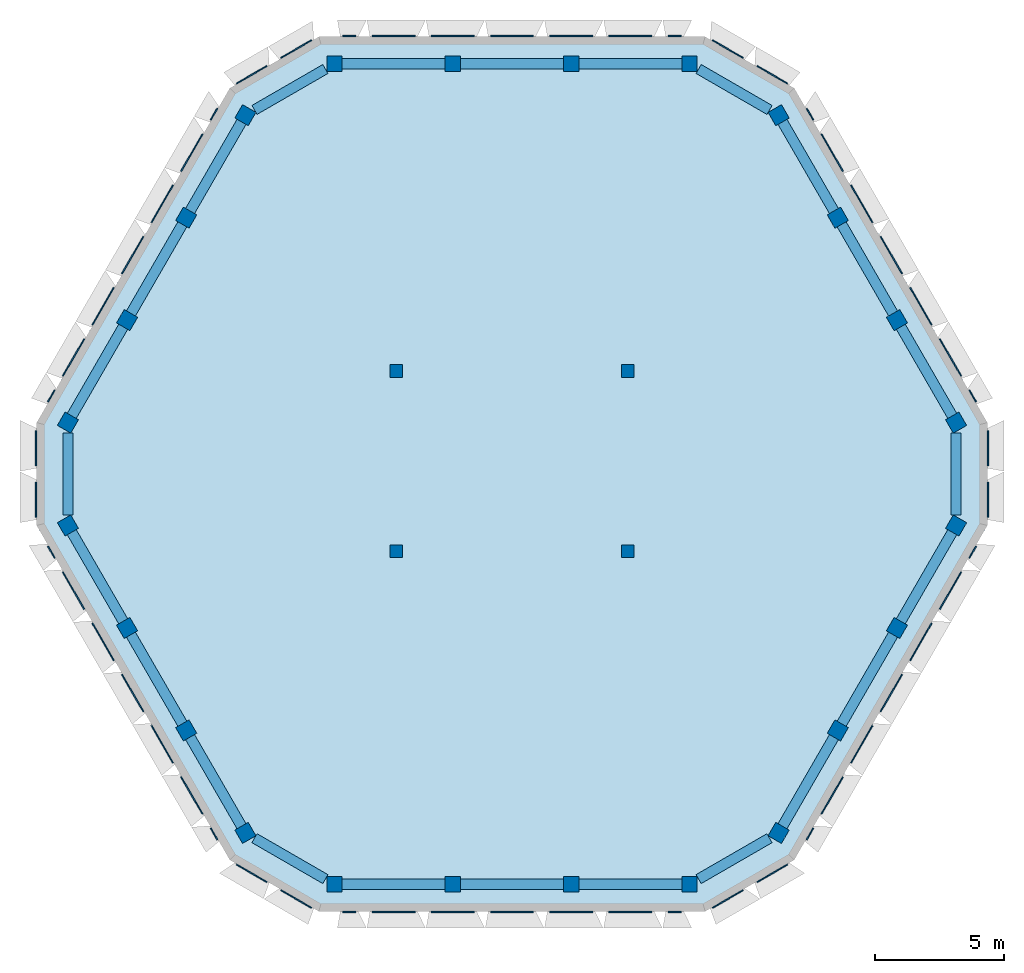
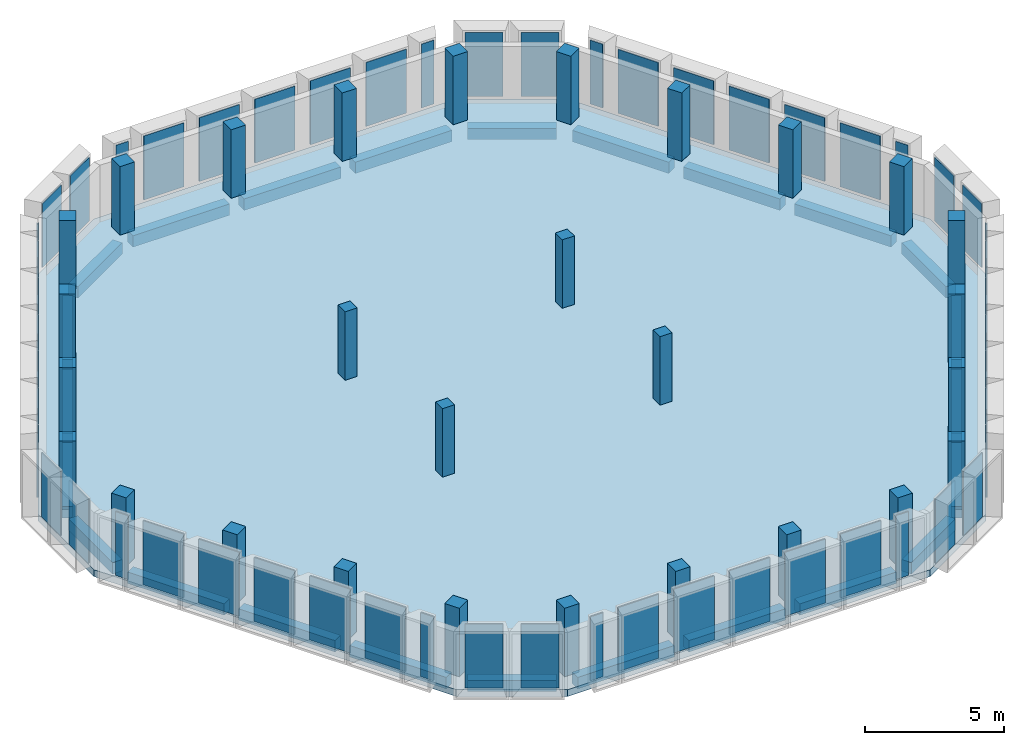
# One storey, part 1 of 3: 54 plates, 28 columns, 24 beams, 1 slab.
"""IFC4 building model written with IfcOpenShell, lengths in metres."""

from ifc_helpers import new_model, si_unit, direction, frame, origin, origin_2d, place, context, subcontext, project, spatial, polyline, rectangle, outline, extrude, source, transform, mapped, material, layer, layer_set, material_profile, profile_set, type_object, type_shapes, element, save


model = new_model("IFC4")

# Units and contexts
model_context = context("Model", 3, precision=1e-05, world=origin(), true_north=direction((0.0, 1.0)))
body_context = subcontext(model_context, "Body", "Model", "MODEL_VIEW")
ifc_project = project(units=[si_unit("LENGTHUNIT", "METRE"), si_unit("AREAUNIT", "SQUARE_METRE"), si_unit("VOLUMEUNIT", "CUBIC_METRE"), si_unit("PLANEANGLEUNIT", "RADIAN"), si_unit("MASSUNIT", "GRAM", prefix="KILO")], contexts=[model_context])

# Site, building, storey
site_placement = place(None, origin())
site = spatial("IfcSite", under=ifc_project, at=site_placement, CompositionType="ELEMENT")
building_placement = place(site_placement, origin())
building = spatial("IfcBuilding", under=site, at=building_placement, Name="Beryl Residences", CompositionType="ELEMENT")
storey_placement = place(building_placement, frame((0.0, 0.0, 247.800048828125)))
storey = spatial("IfcBuildingStorey", under=building, at=storey_placement, Name="L77", CompositionType="ELEMENT", Elevation=247.800048828125)

# Columns
ifc_material_1 = material(Name="Concrete C50/60", Category="concrete")
ifc_material_profile_1 = material_profile(ifc_material_1, rectangle(XDim=0.60009765625, YDim=0.60009765625, at=origin_2d()))
ifc_profile_set_1 = profile_set([ifc_material_profile_1], Name="Concrete C50/60")
column_type_1 = type_object("IfcColumnType", Name="C6 tube column 600 x 600 C50/60", PredefinedType="COLUMN", material=ifc_profile_set_1)
for number, where, z_axis, x_axis, name in (
    (1, (6.89990234375, 15.949951171875, 0.0), (0.0, 0.0, 1.0), (-1.0, 0.0, 0.0), "C6-N1 L77"),
    (2, (2.300048828125, 15.949951171875, 0.0), (0.0, 0.0, 1.0), (-1.0, 0.0, 0.0), "C6-N2 L77"),
    (3, (-2.300048828125, 15.949951171875, 0.0), (0.0, 0.0, 1.0), (-1.0, 0.0, 0.0), "C6-N3 L77"),
    (4, (-6.89990234375, 15.949951171875, 0.0), (0.0, 0.0, 1.0), (-1.0, 0.0, 0.0), "C6-N4 L77"),
    (5, (-10.364013671875, 13.949951171875, 0.0), (0.0, 0.0, 1.0), (-0.5, -0.866025403784, 0.0), "C6-NW1 L77"),
    (6, (-12.6640625, 9.967041015625, 0.0), (0.0, 0.0, 1.0), (-0.5, -0.866025403784, 0.0), "C6-NW2 L77"),
    (7, (-14.962890625, 5.98388671875, 0.0), (0.0, 0.0, 1.0), (-0.5, -0.866025403784, 0.0), "C6-NW3 L77"),
    (8, (-17.262939453125, 2.0009765625, 0.0), (0.0, 0.0, 1.0), (-0.5, -0.866025403784, 0.0), "C6-NW4 L77"),
    (9, (-17.262939453125, -2.0, 0.0), (0.0, 0.0, 1.0), (0.5, -0.866025403784, 0.0), "C6-SW1 L77"),
    (10, (-14.964111328125, -5.98291015625, 0.0), (0.0, 0.0, 1.0), (0.5, -0.866025403784, 0.0), "C6-SW2 L77"),
    (11, (-12.6640625, -9.966064453125, 0.0), (0.0, 0.0, 1.0), (0.5, -0.866025403784, 0.0), "C6-SW3 L77"),
    (12, (-10.364990234375, -13.948974609375, 0.0), (0.0, 0.0, 1.0), (0.5, -0.866025403784, 0.0), "C6-SW4 L77"),
    (13, (-6.89990234375, -15.949951171875, 0.0), (0.0, 0.0, 1.0), (1.0, 0.0, 0.0), "C6-S1 L77"),
    (14, (-2.300048828125, -15.949951171875, 0.0), (0.0, 0.0, 1.0), (1.0, 0.0, 0.0), "C6-S2 L77"),
    (15, (2.300048828125, -15.949951171875, 0.0), (0.0, 0.0, 1.0), (1.0, 0.0, 0.0), "C6-S3 L77"),
    (16, (6.89990234375, -15.949951171875, 0.0), (0.0, 0.0, 1.0), (1.0, 0.0, 0.0), "C6-S4 L77"),
    (17, (10.364013671875, -13.949951171875, 0.0), (0.0, 0.0, 1.0), (0.5, 0.866025403784, 0.0), "C6-SE1 L77"),
    (18, (12.6640625, -9.967041015625, 0.0), (0.0, 0.0, 1.0), (0.5, 0.866025403784, 0.0), "C6-SE2 L77"),
    (19, (14.962890625, -5.98388671875, 0.0), (0.0, 0.0, 1.0), (0.5, 0.866025403784, 0.0), "C6-SE3 L77"),
    (20, (17.262939453125, -2.0009765625, 0.0), (0.0, 0.0, 1.0), (0.5, 0.866025403784, 0.0), "C6-SE4 L77"),
    (21, (17.262939453125, 2.0, 0.0), (0.0, 0.0, 1.0), (-0.5, 0.866025403784, 0.0), "C6-NE1 L77"),
    (22, (14.964111328125, 5.98291015625, 0.0), (0.0, 0.0, 1.0), (-0.5, 0.866025403784, 0.0), "C6-NE2 L77"),
    (23, (12.6640625, 9.966064453125, 0.0), (0.0, 0.0, 1.0), (-0.5, 0.866025403784, 0.0), "C6-NE3 L77"),
    (24, (10.364990234375, 13.948974609375, 0.0), (0.0, 0.0, 1.0), (-0.5, 0.866025403784, 0.0), "C6-NE4 L77"),
):
    element("IfcColumn", number, at=place(storey_placement, frame(where, z_axis=z_axis, x_axis=x_axis)), inside=storey, type_object=column_type_1, Name=name, PredefinedType="COLUMN", context=body_context, shape_type="SweptSolid", body=[
        extrude(rectangle(XDim=0.60009765625, YDim=0.60009765625, at=origin_2d()), origin(), (0.0, 0.0, 1.0), 3.0),
    ])
ifc_material_2 = material(Name="Concrete C50/60", Category="concrete")
ifc_material_profile_2 = material_profile(ifc_material_2, rectangle(XDim=0.5, YDim=0.5, at=origin_2d()))
ifc_profile_set_2 = profile_set([ifc_material_profile_2], Name="Concrete C50/60")
column_type_2 = type_object("IfcColumnType", Name="IC6 interior column 500 x 500 C50/60", PredefinedType="COLUMN", material=ifc_profile_set_2)
for number, where, z_axis, x_axis, name in (
    (25, (-4.5, 4.0, 0.0), (0.0, 0.0, 1.0), (1.0, 0.0, 0.0), "IC6-K1 L77"),
    (26, (4.5, 4.0, 0.0), (0.0, 0.0, 1.0), (1.0, 0.0, 0.0), "IC6-K2 L77"),
    (27, (-4.5, -3.0, 0.0), (0.0, 0.0, 1.0), (1.0, 0.0, 0.0), "IC6-K3 L77"),
    (28, (4.5, -3.0, 0.0), (0.0, 0.0, 1.0), (1.0, 0.0, 0.0), "IC6-K4 L77"),
):
    element("IfcColumn", number, at=place(storey_placement, frame(where, z_axis=z_axis, x_axis=x_axis)), inside=storey, type_object=column_type_2, Name=name, PredefinedType="COLUMN", context=body_context, shape_type="SweptSolid", body=[
        extrude(rectangle(XDim=0.5, YDim=0.5, at=origin_2d()), origin(), (0.0, 0.0, 1.0), 3.0),
    ])

# Beams
ifc_material_3 = material(Name="Concrete C50/60", Category="concrete")
ifc_material_profile_3 = material_profile(ifc_material_3, rectangle(XDim=0.39990234375, YDim=0.5, at=origin_2d()))
ifc_profile_set_3 = profile_set([ifc_material_profile_3], Name="Concrete C50/60")
beam_type = type_object("IfcBeamType", Name="SB6 spandrel beam 400 x 500 C50/60", PredefinedType="SPANDREL", material=ifc_profile_set_3)
for number, where, z_axis, x_axis, name in (
    (29, (6.60009765625, 15.949951171875, -0.550048828125), (-1.0, 0.0, 0.0), (0.0, -1.0, 0.0), "SB6 L77 N-0"),
    (30, (2.0, 15.949951171875, -0.550048828125), (-1.0, 0.0, 0.0), (0.0, -1.0, 0.0), "SB6 L77 N-1"),
    (31, (-2.60009765625, 15.949951171875, -0.550048828125), (-1.0, 0.0, 0.0), (0.0, -1.0, 0.0), "SB6 L77 N-2"),
):
    element("IfcBeam", number, at=place(storey_placement, frame(where, z_axis=z_axis, x_axis=x_axis)), inside=storey, type_object=beam_type, Name=name, PredefinedType="SPANDREL", context=body_context, shape_type="SweptSolid", body=[
        extrude(rectangle(XDim=0.39990234375, YDim=0.5, at=origin_2d()), origin(), (0.0, 0.0, 1.0), 4.0),
    ])
beam_1_placement = place(storey_placement, frame((-7.2548828125, 15.7451171875, -0.550048828125), z_axis=(-0.866028341908, -0.499994910987, 0.0), x_axis=(0.499994910987, -0.866028341908, 0.0)))
element("IfcBeam", 32, at=beam_1_placement, inside=storey, type_object=beam_type, Name="SB6 L77 N-3", PredefinedType="SPANDREL", context=body_context, shape_type="SweptSolid", body=[
    extrude(rectangle(XDim=0.39990234375, YDim=0.5, at=origin_2d()), origin(), (0.0, 0.0, 1.0), 3.18017578125),
])
beam_2_placement = place(storey_placement, frame((-10.513916015625, 13.68994140625, -0.550048828125), z_axis=(-0.500131122175, -0.865949687125, 0.0), x_axis=(0.865949687125, -0.500131122175, 0.0)))
element("IfcBeam", 33, at=beam_2_placement, inside=storey, type_object=beam_type, Name="SB6 L77 NW-0", PredefinedType="SPANDREL", context=body_context, shape_type="SweptSolid", body=[
    extrude(rectangle(XDim=0.39990234375, YDim=0.5, at=origin_2d()), origin(), (0.0, 0.0, 1.0), 3.9990234375),
])
beam_3_placement = place(storey_placement, frame((-12.81396484375, 9.70703125, -0.550048828125), z_axis=(-0.499921531005, -0.86607070314, 0.0), x_axis=(0.86607070314, -0.499921531005, 0.0)))
element("IfcBeam", 34, at=beam_3_placement, inside=storey, type_object=beam_type, Name="SB6 L77 NW-1", PredefinedType="SPANDREL", context=body_context, shape_type="SweptSolid", body=[
    extrude(rectangle(XDim=0.39990234375, YDim=0.5, at=origin_2d()), origin(), (0.0, 0.0, 1.0), 3.998779296875),
])
beam_4_placement = place(storey_placement, frame((-15.113037109375, 5.72412109375, -0.550048828125), z_axis=(-0.50010468279, -0.865964956711, 0.0), x_axis=(0.865964956711, -0.50010468279, 0.0)))
element("IfcBeam", 35, at=beam_4_placement, inside=storey, type_object=beam_type, Name="SB6 L77 NW-2", PredefinedType="SPANDREL", context=body_context, shape_type="SweptSolid", body=[
    extrude(rectangle(XDim=0.39990234375, YDim=0.5, at=origin_2d()), origin(), (0.0, 0.0, 1.0), 3.999267578125),
])
beam_5_placement = place(storey_placement, frame((-17.262939453125, 1.591064453125, -0.550048828125), z_axis=(0.0, -1.0, 0.0), x_axis=(1.0, 0.0, 0.0)))
element("IfcBeam", 36, at=beam_5_placement, inside=storey, type_object=beam_type, Name="SB6 L77 NW-3", PredefinedType="SPANDREL", context=body_context, shape_type="SweptSolid", body=[
    extrude(rectangle(XDim=0.39990234375, YDim=0.5, at=origin_2d()), origin(), (0.0, 0.0, 1.0), 3.18115234375),
])
beam_6_placement = place(storey_placement, frame((-17.113037109375, -2.260009765625, -0.550048828125), z_axis=(0.499947967163, -0.866055442873, 0.0), x_axis=(0.866055442873, 0.499947967163, 0.0)))
element("IfcBeam", 37, at=beam_6_placement, inside=storey, type_object=beam_type, Name="SB6 L77 SW-0", PredefinedType="SPANDREL", context=body_context, shape_type="SweptSolid", body=[
    extrude(rectangle(XDim=0.39990234375, YDim=0.5, at=origin_2d()), origin(), (0.0, 0.0, 1.0), 3.99853515625),
])
beam_7_placement = place(storey_placement, frame((-14.81396484375, -6.242919921875, -0.550048828125), z_axis=(0.50010468279, -0.865964956711, 0.0), x_axis=(0.865964956711, 0.50010468279, 0.0)))
element("IfcBeam", 38, at=beam_7_placement, inside=storey, type_object=beam_type, Name="SB6 L77 SW-1", PredefinedType="SPANDREL", context=body_context, shape_type="SweptSolid", body=[
    extrude(rectangle(XDim=0.39990234375, YDim=0.5, at=origin_2d()), origin(), (0.0, 0.0, 1.0), 3.999267578125),
])
beam_8_placement = place(storey_placement, frame((-12.513916015625, -10.22607421875, -0.550048828125), z_axis=(0.499947967163, -0.866055442873, 0.0), x_axis=(0.866055442873, 0.499947967163, 0.0)))
element("IfcBeam", 39, at=beam_8_placement, inside=storey, type_object=beam_type, Name="SB6 L77 SW-2", PredefinedType="SPANDREL", context=body_context, shape_type="SweptSolid", body=[
    extrude(rectangle(XDim=0.39990234375, YDim=0.5, at=origin_2d()), origin(), (0.0, 0.0, 1.0), 3.99853515625),
])
beam_9_placement = place(storey_placement, frame((-10.010009765625, -14.154052734375, -0.550048828125), z_axis=(0.865972160715, -0.500092208364, 0.0), x_axis=(0.500092208364, 0.865972160715, 0.0)))
element("IfcBeam", 40, at=beam_9_placement, inside=storey, type_object=beam_type, Name="SB6 L77 SW-3", PredefinedType="SPANDREL", context=body_context, shape_type="SweptSolid", body=[
    extrude(rectangle(XDim=0.39990234375, YDim=0.5, at=origin_2d()), origin(), (0.0, 0.0, 1.0), 3.181640625),
])
for number, where, z_axis, x_axis, name in (
    (41, (-6.60009765625, -15.949951171875, -0.550048828125), (1.0, 0.0, 0.0), (0.0, 1.0, 0.0), "SB6 L77 S-0"),
    (42, (-2.0, -15.949951171875, -0.550048828125), (1.0, 0.0, 0.0), (0.0, 1.0, 0.0), "SB6 L77 S-1"),
    (43, (2.60009765625, -15.949951171875, -0.550048828125), (1.0, 0.0, 0.0), (0.0, 1.0, 0.0), "SB6 L77 S-2"),
):
    element("IfcBeam", number, at=place(storey_placement, frame(where, z_axis=z_axis, x_axis=x_axis)), inside=storey, type_object=beam_type, Name=name, PredefinedType="SPANDREL", context=body_context, shape_type="SweptSolid", body=[
        extrude(rectangle(XDim=0.39990234375, YDim=0.5, at=origin_2d()), origin(), (0.0, 0.0, 1.0), 4.0),
    ])
beam_10_placement = place(storey_placement, frame((7.2548828125, -15.7451171875, -0.550048828125), z_axis=(0.866028341908, 0.499994910987, 0.0), x_axis=(-0.499994910987, 0.866028341908, 0.0)))
element("IfcBeam", 44, at=beam_10_placement, inside=storey, type_object=beam_type, Name="SB6 L77 S-3", PredefinedType="SPANDREL", context=body_context, shape_type="SweptSolid", body=[
    extrude(rectangle(XDim=0.39990234375, YDim=0.5, at=origin_2d()), origin(), (0.0, 0.0, 1.0), 3.18017578125),
])
beam_11_placement = place(storey_placement, frame((10.513916015625, -13.68994140625, -0.550048828125), z_axis=(0.500131122175, 0.865949687125, 0.0), x_axis=(-0.865949687125, 0.500131122175, 0.0)))
element("IfcBeam", 45, at=beam_11_placement, inside=storey, type_object=beam_type, Name="SB6 L77 SE-0", PredefinedType="SPANDREL", context=body_context, shape_type="SweptSolid", body=[
    extrude(rectangle(XDim=0.39990234375, YDim=0.5, at=origin_2d()), origin(), (0.0, 0.0, 1.0), 3.9990234375),
])
beam_12_placement = place(storey_placement, frame((12.81396484375, -9.70703125, -0.550048828125), z_axis=(0.499921531005, 0.86607070314, 0.0), x_axis=(-0.86607070314, 0.499921531005, 0.0)))
element("IfcBeam", 46, at=beam_12_placement, inside=storey, type_object=beam_type, Name="SB6 L77 SE-1", PredefinedType="SPANDREL", context=body_context, shape_type="SweptSolid", body=[
    extrude(rectangle(XDim=0.39990234375, YDim=0.5, at=origin_2d()), origin(), (0.0, 0.0, 1.0), 3.998779296875),
])
beam_13_placement = place(storey_placement, frame((15.113037109375, -5.72412109375, -0.550048828125), z_axis=(0.50010468279, 0.865964956711, 0.0), x_axis=(-0.865964956711, 0.50010468279, 0.0)))
element("IfcBeam", 47, at=beam_13_placement, inside=storey, type_object=beam_type, Name="SB6 L77 SE-2", PredefinedType="SPANDREL", context=body_context, shape_type="SweptSolid", body=[
    extrude(rectangle(XDim=0.39990234375, YDim=0.5, at=origin_2d()), origin(), (0.0, 0.0, 1.0), 3.999267578125),
])
beam_14_placement = place(storey_placement, frame((17.262939453125, -1.591064453125, -0.550048828125), z_axis=(0.0, 1.0, 0.0), x_axis=(-1.0, 0.0, 0.0)))
element("IfcBeam", 48, at=beam_14_placement, inside=storey, type_object=beam_type, Name="SB6 L77 SE-3", PredefinedType="SPANDREL", context=body_context, shape_type="SweptSolid", body=[
    extrude(rectangle(XDim=0.39990234375, YDim=0.5, at=origin_2d()), origin(), (0.0, 0.0, 1.0), 3.18115234375),
])
beam_15_placement = place(storey_placement, frame((17.113037109375, 2.260009765625, -0.550048828125), z_axis=(-0.499947967163, 0.866055442873, 0.0), x_axis=(-0.866055442873, -0.499947967163, 0.0)))
element("IfcBeam", 49, at=beam_15_placement, inside=storey, type_object=beam_type, Name="SB6 L77 NE-0", PredefinedType="SPANDREL", context=body_context, shape_type="SweptSolid", body=[
    extrude(rectangle(XDim=0.39990234375, YDim=0.5, at=origin_2d()), origin(), (0.0, 0.0, 1.0), 3.99853515625),
])
beam_16_placement = place(storey_placement, frame((14.81396484375, 6.242919921875, -0.550048828125), z_axis=(-0.50010468279, 0.865964956711, 0.0), x_axis=(-0.865964956711, -0.50010468279, 0.0)))
element("IfcBeam", 50, at=beam_16_placement, inside=storey, type_object=beam_type, Name="SB6 L77 NE-1", PredefinedType="SPANDREL", context=body_context, shape_type="SweptSolid", body=[
    extrude(rectangle(XDim=0.39990234375, YDim=0.5, at=origin_2d()), origin(), (0.0, 0.0, 1.0), 3.999267578125),
])
beam_17_placement = place(storey_placement, frame((12.513916015625, 10.22607421875, -0.550048828125), z_axis=(-0.499947967163, 0.866055442873, 0.0), x_axis=(-0.866055442873, -0.499947967163, 0.0)))
element("IfcBeam", 51, at=beam_17_placement, inside=storey, type_object=beam_type, Name="SB6 L77 NE-2", PredefinedType="SPANDREL", context=body_context, shape_type="SweptSolid", body=[
    extrude(rectangle(XDim=0.39990234375, YDim=0.5, at=origin_2d()), origin(), (0.0, 0.0, 1.0), 3.99853515625),
])
beam_18_placement = place(storey_placement, frame((10.010009765625, 14.154052734375, -0.550048828125), z_axis=(-0.865972160715, 0.500092208364, 0.0), x_axis=(-0.500092208364, -0.865972160715, 0.0)))
element("IfcBeam", 52, at=beam_18_placement, inside=storey, type_object=beam_type, Name="SB6 L77 NE-3", PredefinedType="SPANDREL", context=body_context, shape_type="SweptSolid", body=[
    extrude(rectangle(XDim=0.39990234375, YDim=0.5, at=origin_2d()), origin(), (0.0, 0.0, 1.0), 3.181640625),
])

# Plates
ifc_material_4 = material(Name="Aluminium louvres", Category="aluminium")
ifc_layer_1 = layer(ifc_material_4, 0.050048828125)
ifc_layer_set_1 = layer_set([ifc_layer_1], Name="LV137 louvre panel 1370 x 2800 mm")
plate_type_1 = type_object("IfcPlateType", Name="LV137 louvre panel 1370 x 2800 mm", PredefinedType="SHEET", material=ifc_layer_set_1)
shared_shape_1 = source(origin(), body_context, "Body", "SweptSolid", [
    extrude(outline(polyline([(-0.68505859375, 0.0), (0.68505859375, 0.0), (0.68505859375, 0.050048828125), (-0.68505859375, 0.050048828125), (-0.68505859375, 0.0)])), origin(), (0.0, 0.0, 1.0), 2.800048828125),
])
type_shapes(plate_type_1, [shared_shape_1])
for number, where, z_axis, x_axis, name in (
    (53, (-8.3720703125, 16.5, 0.099853515625), (0.0, 0.0, 1.0), (0.866025403784, 0.5, 0.0), "LV137 louvre cell L77 N-NW 1"),
    (54, (-10.10400390625, 15.5, 0.099853515625), (0.0, 0.0, 1.0), (0.866025403784, 0.5, 0.0), "LV137 louvre cell L77 N-NW 2"),
    (55, (-18.47509765625, 1.0, 0.099853515625), (0.0, 0.0, 1.0), (0.0, 1.0, 0.0), "LV137 louvre cell L77 NW-SW 1"),
    (56, (-18.47509765625, -1.0, 0.099853515625), (0.0, 0.0, 1.0), (0.0, 1.0, 0.0), "LV137 louvre cell L77 NW-SW 2"),
    (57, (-10.10400390625, -15.5, 0.099853515625), (0.0, 0.0, 1.0), (-0.866025403784, 0.5, 0.0), "LV137 louvre cell L77 SW-S 1"),
    (58, (-8.3720703125, -16.5, 0.099853515625), (0.0, 0.0, 1.0), (-0.866025403784, 0.5, 0.0), "LV137 louvre cell L77 SW-S 2"),
    (59, (8.3720703125, -16.5, 0.099853515625), (0.0, 0.0, 1.0), (-0.866025403784, -0.5, 0.0), "LV137 louvre cell L77 S-SE 1"),
    (60, (10.10400390625, -15.5, 0.099853515625), (0.0, 0.0, 1.0), (-0.866025403784, -0.5, 0.0), "LV137 louvre cell L77 S-SE 2"),
    (61, (18.47509765625, -1.0, 0.099853515625), (0.0, 0.0, 1.0), (0.0, -1.0, 0.0), "LV137 louvre cell L77 SE-NE 1"),
    (62, (18.47509765625, 1.0, 0.099853515625), (0.0, 0.0, 1.0), (0.0, -1.0, 0.0), "LV137 louvre cell L77 SE-NE 2"),
    (63, (10.10400390625, 15.5, 0.099853515625), (0.0, 0.0, 1.0), (0.866025403784, -0.5, 0.0), "LV137 louvre cell L77 NE-N 1"),
    (64, (8.3720703125, 16.5, 0.099853515625), (0.0, 0.0, 1.0), (0.866025403784, -0.5, 0.0), "LV137 louvre cell L77 NE-N 2"),
):
    element("IfcPlate", number, at=place(storey_placement, frame(where, z_axis=z_axis, x_axis=x_axis)), inside=storey, type_object=plate_type_1, Name=name, PredefinedType="SHEET", context=body_context, shape_type="MappedRepresentation", body=[
        mapped(shared_shape_1, transform((0.0, 0.0, 0.0))),
    ])
ifc_material_5 = material(Name="Aluminium louvres", Category="aluminium")
ifc_layer_2 = layer(ifc_material_5, 0.050048828125)
ifc_layer_set_2 = layer_set([ifc_layer_2], Name="LV167 louvre panel 1670 x 2800 mm")
plate_type_2 = type_object("IfcPlateType", Name="LV167 louvre panel 1670 x 2800 mm", PredefinedType="SHEET", material=ifc_layer_set_2)
shared_shape_2 = source(origin(), body_context, "Body", "SweptSolid", [
    extrude(outline(polyline([(-0.8349609375, 0.0), (0.8349609375, 0.0), (0.8349609375, 0.050048828125), (-0.8349609375, 0.050048828125), (-0.8349609375, 0.0)])), origin(), (0.0, 0.0, 1.0), 2.800048828125),
])
type_shapes(plate_type_2, [shared_shape_2])
for number, where, z_axis, x_axis, name in (
    (65, (4.60009765625, 17.0, 0.099853515625), (0.0, 0.0, 1.0), (1.0, 0.0, 0.0), "LV167 louvre cell L77 N 2"),
    (66, (2.300048828125, 17.0, 0.099853515625), (0.0, 0.0, 1.0), (1.0, 0.0, 0.0), "LV167 louvre cell L77 N 3"),
    (67, (0.0, 17.0, 0.099853515625), (0.0, 0.0, 1.0), (1.0, 0.0, 0.0), "LV167 louvre cell L77 N 4"),
    (68, (-2.300048828125, 17.0, 0.099853515625), (0.0, 0.0, 1.0), (1.0, 0.0, 0.0), "LV167 louvre cell L77 N 5"),
    (69, (-4.60009765625, 17.0, 0.099853515625), (0.0, 0.0, 1.0), (1.0, 0.0, 0.0), "LV167 louvre cell L77 N 6"),
    (70, (-12.423095703125, 12.48291015625, 0.099853515625), (0.0, 0.0, 1.0), (0.5, 0.866025403784, 0.0), "LV167 louvre cell L77 NW 2"),
    (71, (-13.572998046875, 10.491943359375, 0.099853515625), (0.0, 0.0, 1.0), (0.5, 0.866025403784, 0.0), "LV167 louvre cell L77 NW 3"),
    (72, (-14.722900390625, 8.5, 0.099853515625), (0.0, 0.0, 1.0), (0.5, 0.866025403784, 0.0), "LV167 louvre cell L77 NW 4"),
    (73, (-15.873046875, 6.509033203125, 0.099853515625), (0.0, 0.0, 1.0), (0.5, 0.866025403784, 0.0), "LV167 louvre cell L77 NW 5"),
    (74, (-17.02197265625, 4.51806640625, 0.099853515625), (0.0, 0.0, 1.0), (0.5, 0.866025403784, 0.0), "LV167 louvre cell L77 NW 6"),
    (75, (-17.02294921875, -4.51708984375, 0.099853515625), (0.0, 0.0, 1.0), (-0.5, 0.866025403784, 0.0), "LV167 louvre cell L77 SW 2"),
    (76, (-15.873046875, -6.508056640625, 0.099853515625), (0.0, 0.0, 1.0), (-0.5, 0.866025403784, 0.0), "LV167 louvre cell L77 SW 3"),
    (77, (-14.722900390625, -8.5, 0.099853515625), (0.0, 0.0, 1.0), (-0.5, 0.866025403784, 0.0), "LV167 louvre cell L77 SW 4"),
    (78, (-13.572998046875, -10.490966796875, 0.099853515625), (0.0, 0.0, 1.0), (-0.5, 0.866025403784, 0.0), "LV167 louvre cell L77 SW 5"),
    (79, (-12.424072265625, -12.48193359375, 0.099853515625), (0.0, 0.0, 1.0), (-0.5, 0.866025403784, 0.0), "LV167 louvre cell L77 SW 6"),
    (80, (-4.60009765625, -17.0, 0.099853515625), (0.0, 0.0, 1.0), (-1.0, 0.0, 0.0), "LV167 louvre cell L77 S 2"),
    (81, (-2.300048828125, -17.0, 0.099853515625), (0.0, 0.0, 1.0), (-1.0, 0.0, 0.0), "LV167 louvre cell L77 S 3"),
    (82, (0.0, -17.0, 0.099853515625), (0.0, 0.0, 1.0), (-1.0, 0.0, 0.0), "LV167 louvre cell L77 S 4"),
    (83, (2.300048828125, -17.0, 0.099853515625), (0.0, 0.0, 1.0), (-1.0, 0.0, 0.0), "LV167 louvre cell L77 S 5"),
    (84, (4.60009765625, -17.0, 0.099853515625), (0.0, 0.0, 1.0), (-1.0, 0.0, 0.0), "LV167 louvre cell L77 S 6"),
    (85, (12.423095703125, -12.48291015625, 0.099853515625), (0.0, 0.0, 1.0), (-0.5, -0.866025403784, 0.0), "LV167 louvre cell L77 SE 2"),
    (86, (13.572998046875, -10.491943359375, 0.099853515625), (0.0, 0.0, 1.0), (-0.5, -0.866025403784, 0.0), "LV167 louvre cell L77 SE 3"),
    (87, (14.722900390625, -8.5, 0.099853515625), (0.0, 0.0, 1.0), (-0.5, -0.866025403784, 0.0), "LV167 louvre cell L77 SE 4"),
    (88, (15.873046875, -6.509033203125, 0.099853515625), (0.0, 0.0, 1.0), (-0.5, -0.866025403784, 0.0), "LV167 louvre cell L77 SE 5"),
    (89, (17.02197265625, -4.51806640625, 0.099853515625), (0.0, 0.0, 1.0), (-0.5, -0.866025403784, 0.0), "LV167 louvre cell L77 SE 6"),
    (90, (17.02294921875, 4.51708984375, 0.099853515625), (0.0, 0.0, 1.0), (0.5, -0.866025403784, 0.0), "LV167 louvre cell L77 NE 2"),
    (91, (15.873046875, 6.508056640625, 0.099853515625), (0.0, 0.0, 1.0), (0.5, -0.866025403784, 0.0), "LV167 louvre cell L77 NE 3"),
    (92, (14.722900390625, 8.5, 0.099853515625), (0.0, 0.0, 1.0), (0.5, -0.866025403784, 0.0), "LV167 louvre cell L77 NE 4"),
    (93, (13.572998046875, 10.490966796875, 0.099853515625), (0.0, 0.0, 1.0), (0.5, -0.866025403784, 0.0), "LV167 louvre cell L77 NE 5"),
    (94, (12.424072265625, 12.48193359375, 0.099853515625), (0.0, 0.0, 1.0), (0.5, -0.866025403784, 0.0), "LV167 louvre cell L77 NE 6"),
):
    element("IfcPlate", number, at=place(storey_placement, frame(where, z_axis=z_axis, x_axis=x_axis)), inside=storey, type_object=plate_type_2, Name=name, PredefinedType="SHEET", context=body_context, shape_type="MappedRepresentation", body=[
        mapped(shared_shape_2, transform((0.0, 0.0, 0.0))),
    ])
ifc_material_6 = material(Name="Aluminium louvres", Category="aluminium")
ifc_layer_3 = layer(ifc_material_6, 0.050048828125)
ifc_layer_set_3 = layer_set([ifc_layer_3], Name="LV52 louvre panel 520 x 2800 mm")
plate_type_3 = type_object("IfcPlateType", Name="LV52 louvre panel 520 x 2800 mm", PredefinedType="SHEET", material=ifc_layer_set_3)
shared_shape_3 = source(origin(), body_context, "Body", "SweptSolid", [
    extrude(outline(polyline([(-0.260009765625, 0.0), (0.260009765625, 0.0), (0.260009765625, 0.050048828125), (-0.260009765625, 0.050048828125), (-0.260009765625, 0.0)])), origin(), (0.0, 0.0, 1.0), 2.800048828125),
])
type_shapes(plate_type_3, [shared_shape_3])
for number, where, z_axis, x_axis, name in (
    (95, (6.324951171875, 17.0, 0.099853515625), (0.0, 0.0, 1.0), (1.0, 0.0, 0.0), "LV52 louvre cell L77 N 1"),
    (96, (-6.324951171875, 17.0, 0.099853515625), (0.0, 0.0, 1.0), (1.0, 0.0, 0.0), "LV52 louvre cell L77 N 7"),
    (97, (-11.56103515625, 13.97705078125, 0.099853515625), (0.0, 0.0, 1.0), (0.5, 0.866025403784, 0.0), "LV52 louvre cell L77 NW 1"),
    (98, (-17.885009765625, 3.02392578125, 0.099853515625), (0.0, 0.0, 1.0), (0.5, 0.866025403784, 0.0), "LV52 louvre cell L77 NW 7"),
    (99, (-17.885009765625, -3.02294921875, 0.099853515625), (0.0, 0.0, 1.0), (-0.5, 0.866025403784, 0.0), "LV52 louvre cell L77 SW 1"),
    (100, (-11.56103515625, -13.97607421875, 0.099853515625), (0.0, 0.0, 1.0), (-0.5, 0.866025403784, 0.0), "LV52 louvre cell L77 SW 7"),
    (101, (-6.324951171875, -17.0, 0.099853515625), (0.0, 0.0, 1.0), (-1.0, 0.0, 0.0), "LV52 louvre cell L77 S 1"),
    (102, (6.324951171875, -17.0, 0.099853515625), (0.0, 0.0, 1.0), (-1.0, 0.0, 0.0), "LV52 louvre cell L77 S 7"),
    (103, (11.56103515625, -13.97705078125, 0.099853515625), (0.0, 0.0, 1.0), (-0.5, -0.866025403784, 0.0), "LV52 louvre cell L77 SE 1"),
    (104, (17.885009765625, -3.02392578125, 0.099853515625), (0.0, 0.0, 1.0), (-0.5, -0.866025403784, 0.0), "LV52 louvre cell L77 SE 7"),
    (105, (17.885009765625, 3.02294921875, 0.099853515625), (0.0, 0.0, 1.0), (0.5, -0.866025403784, 0.0), "LV52 louvre cell L77 NE 1"),
    (106, (11.56103515625, 13.97607421875, 0.099853515625), (0.0, 0.0, 1.0), (0.5, -0.866025403784, 0.0), "LV52 louvre cell L77 NE 7"),
):
    element("IfcPlate", number, at=place(storey_placement, frame(where, z_axis=z_axis, x_axis=x_axis)), inside=storey, type_object=plate_type_3, Name=name, PredefinedType="SHEET", context=body_context, shape_type="MappedRepresentation", body=[
        mapped(shared_shape_3, transform((0.0, 0.0, 0.0))),
    ])

# Slab
ifc_material_7 = material(Name="Concrete C40/50", Category="concrete")
ifc_layer_4 = layer(ifc_material_7, 0.300048828125)
ifc_layer_set_4 = layer_set([ifc_layer_4], Name="SL14 roof slab 300 mm C40/50")
slab_type = type_object("IfcSlabType", Name="SL14 roof slab 300 mm C40/50", PredefinedType="ROOF", material=ifc_layer_set_4)
slab_placement = place(storey_placement, frame((0.0, 0.0, -0.300048828125)))
element("IfcSlab", 107, at=slab_placement, inside=storey, type_object=slab_type, Name="L77 slab 1", PredefinedType="ROOF", context=body_context, shape_type="SweptSolid", body=[
    extrude(outline(polyline([(18.47509765625, 2.0), (18.47509765625, -2.0), (10.969970703125, -15.0), (7.506103515625, -17.0), (-7.506103515625, -17.0), (-10.969970703125, -15.0), (-18.47509765625, -2.0), (-18.47509765625, 2.0), (-10.969970703125, 15.0), (-7.506103515625, 17.0), (7.506103515625, 17.0), (10.969970703125, 15.0), (18.47509765625, 2.0)]), holes=[polyline([(17.673095703125, 1.889892578125), (17.373046875, 2.409912109375), (16.85302734375, 2.110107421875), (17.153076171875, 1.590087890625), (17.673095703125, 1.889892578125)]), polyline([(17.153076171875, -1.591064453125), (16.85302734375, -2.111083984375), (17.373046875, -2.410888671875), (17.673095703125, -1.89111328125), (17.153076171875, -1.591064453125)]), polyline([(14.553955078125, 6.093017578125), (14.85400390625, 5.572998046875), (15.3740234375, 5.873046875), (15.073974609375, 6.39306640625), (14.553955078125, 6.093017578125)]), polyline([(14.85302734375, -5.573974609375), (14.552978515625, -6.093994140625), (15.072998046875, -6.39404296875), (15.373046875, -5.8740234375), (14.85302734375, -5.573974609375)]), polyline([(12.553955078125, -9.556884765625), (12.25390625, -10.076904296875), (12.77392578125, -10.376953125), (13.073974609375, -9.85693359375), (12.553955078125, -9.556884765625)]), polyline([(12.25390625, 10.075927734375), (12.553955078125, 9.555908203125), (13.073974609375, 9.85595703125), (12.77392578125, 10.3759765625), (12.25390625, 10.075927734375)]), polyline([(9.955078125, 14.05908203125), (10.2548828125, 13.5390625), (10.77490234375, 13.839111328125), (10.47509765625, 14.35888671875), (9.955078125, 14.05908203125)]), polyline([(10.25390625, -13.5400390625), (9.9541015625, -14.06005859375), (10.47412109375, -14.360107421875), (10.77392578125, -13.840087890625), (10.25390625, -13.5400390625)]), polyline([(7.199951171875, -15.64990234375), (6.60009765625, -15.64990234375), (6.60009765625, -16.25), (7.199951171875, -16.25), (7.199951171875, -15.64990234375)]), polyline([(6.60009765625, 15.64990234375), (7.199951171875, 15.64990234375), (7.199951171875, 16.25), (6.60009765625, 16.25), (6.60009765625, 15.64990234375)]), polyline([(4.75, 4.25), (4.25, 4.25), (4.25, 3.75), (4.75, 3.75), (4.75, 4.25)]), polyline([(4.75, -2.75), (4.25, -2.75), (4.25, -3.25), (4.75, -3.25), (4.75, -2.75)]), polyline([(2.0, -16.25), (2.60009765625, -16.25), (2.60009765625, -15.64990234375), (2.0, -15.64990234375), (2.0, -16.25)]), polyline([(2.0, 15.64990234375), (2.60009765625, 15.64990234375), (2.60009765625, 16.25), (2.0, 16.25), (2.0, 15.64990234375)]), polyline([(-2.0, -15.64990234375), (-2.60009765625, -15.64990234375), (-2.60009765625, -16.25), (-2.0, -16.25), (-2.0, -15.64990234375)]), polyline([(-2.60009765625, 15.64990234375), (-2.0, 15.64990234375), (-2.0, 16.25), (-2.60009765625, 16.25), (-2.60009765625, 15.64990234375)]), polyline([(-4.25, 4.25), (-4.75, 4.25), (-4.75, 3.75), (-4.25, 3.75), (-4.25, 4.25)]), polyline([(-4.25, -2.75), (-4.75, -2.75), (-4.75, -3.25), (-4.25, -3.25), (-4.25, -2.75)]), polyline([(-7.199951171875, 15.64990234375), (-6.60009765625, 15.64990234375), (-6.60009765625, 16.25), (-7.199951171875, 16.25), (-7.199951171875, 15.64990234375)]), polyline([(-7.199951171875, -16.25), (-6.60009765625, -16.25), (-6.60009765625, -15.64990234375), (-7.199951171875, -15.64990234375), (-7.199951171875, -16.25)]), polyline([(-10.25390625, 13.5400390625), (-9.9541015625, 14.06005859375), (-10.47412109375, 14.360107421875), (-10.77392578125, 13.840087890625), (-10.25390625, 13.5400390625)]), polyline([(-9.955078125, -14.05908203125), (-10.2548828125, -13.5390625), (-10.77490234375, -13.839111328125), (-10.47509765625, -14.35888671875), (-9.955078125, -14.05908203125)]), polyline([(-12.25390625, -10.075927734375), (-12.553955078125, -9.555908203125), (-13.073974609375, -9.85595703125), (-12.77392578125, -10.3759765625), (-12.25390625, -10.075927734375)]), polyline([(-12.553955078125, 9.556884765625), (-12.25390625, 10.076904296875), (-12.77392578125, 10.376953125), (-13.073974609375, 9.85693359375), (-12.553955078125, 9.556884765625)]), polyline([(-14.85302734375, 5.573974609375), (-14.552978515625, 6.093994140625), (-15.072998046875, 6.39404296875), (-15.373046875, 5.8740234375), (-14.85302734375, 5.573974609375)]), polyline([(-14.553955078125, -6.093017578125), (-14.85400390625, -5.572998046875), (-15.3740234375, -5.873046875), (-15.073974609375, -6.39306640625), (-14.553955078125, -6.093017578125)]), polyline([(-17.373046875, 2.410888671875), (-17.673095703125, 1.89111328125), (-17.153076171875, 1.591064453125), (-16.85302734375, 2.111083984375), (-17.373046875, 2.410888671875)]), polyline([(-16.85302734375, -2.110107421875), (-17.153076171875, -1.590087890625), (-17.673095703125, -1.889892578125), (-17.373046875, -2.409912109375), (-16.85302734375, -2.110107421875)])]), origin(), (0.0, 0.0, 1.0), 0.300048828125),
])

save(model, "model.ifc")
